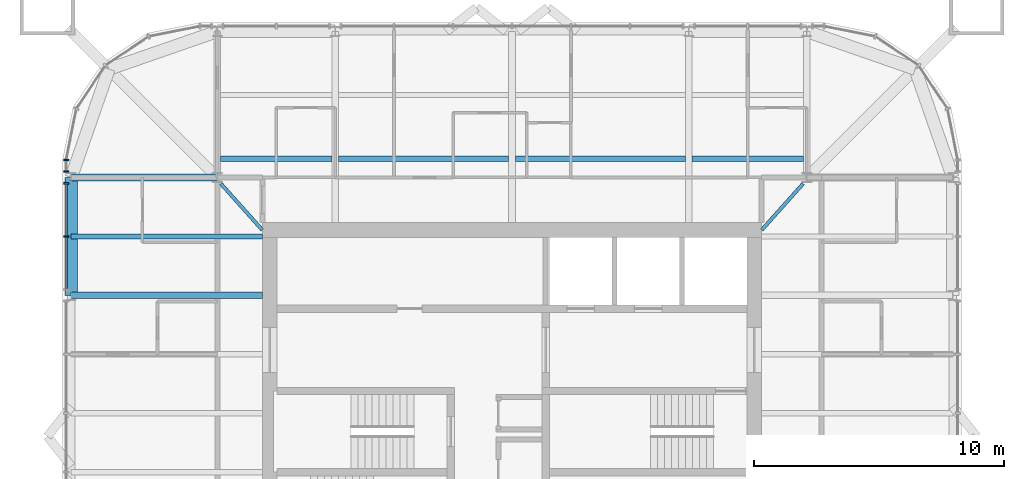
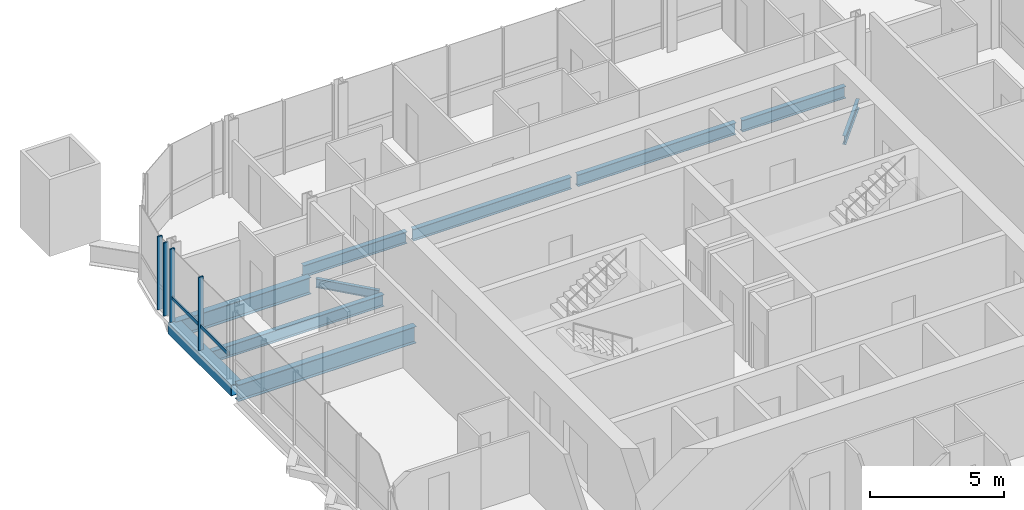
# One storey, part 4 of 17: 10 beams, 6 members, 2 elements without a shape of their own.
"""IFC4 building model written with IfcOpenShell, lengths in metres."""

from ifc_helpers import new_model, si_unit, direction, frame, origin, origin_2d, place, context, subcontext, project, spatial, rectangle, hollow_rectangle, i_section, extrude, material, material_profile, profile_set, type_object, element, aggregate, save


model = new_model("IFC4")

# Units and contexts
model_context = context("Model", 3, precision=1e-05, world=origin(), true_north=direction((0.0, 1.0)))
body_context = subcontext(model_context, "Body", "Model", "MODEL_VIEW")
ifc_project = project(units=[si_unit("LENGTHUNIT", "METRE"), si_unit("AREAUNIT", "SQUARE_METRE"), si_unit("VOLUMEUNIT", "CUBIC_METRE"), si_unit("PLANEANGLEUNIT", "RADIAN"), si_unit("MASSUNIT", "GRAM", prefix="KILO")], contexts=[model_context])

# Site, building, storey
site_placement = place(None, origin())
site = spatial("IfcSite", under=ifc_project, at=site_placement, CompositionType="ELEMENT")
building_placement = place(site_placement, origin())
building = spatial("IfcBuilding", under=site, at=building_placement, Name="Turquesa Mirador Hotel Tower", CompositionType="ELEMENT")
storey_placement = place(building_placement, frame((0.0, 0.0, 247.699951171875)))
storey = spatial("IfcBuildingStorey", under=building, at=storey_placement, Name="L67", CompositionType="ELEMENT", Elevation=247.699951171875)

# Beams
ifc_material_1 = material(Name="Steel ASTM A572 Grade 50", Category="steel")
ifc_material_profile_1 = material_profile(ifc_material_1, hollow_rectangle(XDim=0.5, YDim=0.5, WallThickness=0.01611328125, at=origin_2d()), Name="BOX500X500X16")
ifc_profile_set_1 = profile_set([ifc_material_profile_1], Name="Steel ASTM A572 Grade 50")
beam_type_1 = type_object("IfcBeamType", Name="BEAM BOX500X500X16", PredefinedType="BEAM", material=ifc_profile_set_1)
beam_1_placement = place(storey_placement, frame((37.35009765625, 52.080078125, -0.419921875), z_axis=(0.0, 1.0, 0.0), x_axis=(-1.0, 0.0, 0.0)))
element("IfcBeam", 1, at=beam_1_placement, inside=storey, type_object=beam_type_1, Name="EB-L67-W-R", PredefinedType="BEAM", context=body_context, shape_type="SweptSolid", body=[
    extrude(hollow_rectangle(XDim=0.5, YDim=0.5, WallThickness=0.01611328125, at=origin_2d()), origin(), (0.0, 0.0, 1.0), 4.719970703125),
])
ifc_material_2 = material(Name="Steel ASTM A992 Grade 50", Category="steel")
ifc_material_profile_2 = material_profile(ifc_material_2, i_section(OverallWidth=0.140380859375, OverallDepth=0.40380859375, WebThickness=0.007080078125, FlangeThickness=0.01123046875, at=origin_2d()), Name="W16X31")
ifc_profile_set_2 = profile_set([ifc_material_profile_2], Name="Steel ASTM A992 Grade 50")
beam_type_2 = type_object("IfcBeamType", Name="BEAM W16X31", PredefinedType="BEAM", material=ifc_profile_set_2)
for number, where, z_axis, x_axis, name in (
    (2, (66.656494140625, 56.55126953125, -0.371826171875), (-0.666806350186, -0.745231032198, 0.0), (0.745231032198, -0.666806350186, 0.0), "KT-L67-1"),
    (3, (43.343505859375, 56.55126953125, -0.371826171875), (0.666806350186, -0.745231032198, 0.0), (0.745231032198, 0.666806350186, 0.0), "KT-L67-2"),
):
    element("IfcBeam", number, at=place(storey_placement, frame(where, z_axis=z_axis, x_axis=x_axis)), inside=storey, type_object=beam_type_2, Name=name, PredefinedType="BEAM", context=body_context, shape_type="SweptSolid", body=[
        extrude(i_section(OverallWidth=0.140380859375, OverallDepth=0.40380859375, WebThickness=0.007080078125, FlangeThickness=0.01123046875, at=origin_2d()), origin(), (0.0, 0.0, 1.0), 2.484130859375),
    ])
ifc_material_3 = material(Name="Steel ASTM A992 Grade 50", Category="steel")
ifc_material_profile_3 = material_profile(ifc_material_3, i_section(OverallWidth=0.209228515625, OverallDepth=0.533447265625, WebThickness=0.01025390625, FlangeThickness=0.015625, at=origin_2d()), Name="W21X62")
ifc_profile_set_3 = profile_set([ifc_material_profile_3], Name="Steel ASTM A992 Grade 50")
beam_type_3 = type_object("IfcBeamType", Name="BEAM W21X62", PredefinedType="BEAM", material=ifc_profile_set_3)
beam_2_placement = place(storey_placement, frame((43.333251953125, 57.550048828125, -0.436767578125), z_axis=(1.0, 0.0, 0.0), x_axis=(0.0, 1.0, 0.0)))
element("IfcBeam", 4, at=beam_2_placement, inside=storey, type_object=beam_type_3, Name="IB-L67-N-1-0", PredefinedType="BEAM", context=body_context, shape_type="SweptSolid", body=[
    extrude(i_section(OverallWidth=0.209228515625, OverallDepth=0.533447265625, WebThickness=0.01025390625, FlangeThickness=0.015625, at=origin_2d()), origin(), (0.0, 0.0, 1.0), 4.453369140625),
])
for number, where, z_axis, x_axis, name in (
    (5, (48.053466796875, 57.550048828125, -0.436767578125), (1.0, 0.0, 0.0), (0.0, 1.0, 0.0), "IB-L67-N-1-1"),
    (6, (55.13330078125, 57.550048828125, -0.436767578125), (1.0, 0.0, 0.0), (0.0, 1.0, 0.0), "IB-L67-N-1-2"),
):
    element("IfcBeam", number, at=place(storey_placement, frame(where, z_axis=z_axis, x_axis=x_axis)), inside=storey, type_object=beam_type_3, Name=name, PredefinedType="BEAM", context=body_context, shape_type="SweptSolid", body=[
        extrude(i_section(OverallWidth=0.209228515625, OverallDepth=0.533447265625, WebThickness=0.01025390625, FlangeThickness=0.015625, at=origin_2d()), origin(), (0.0, 0.0, 1.0), 6.813232421875),
    ])
beam_3_placement = place(storey_placement, frame((62.21337890625, 57.550048828125, -0.436767578125), z_axis=(1.0, 0.0, 0.0), x_axis=(0.0, 1.0, 0.0)))
element("IfcBeam", 7, at=beam_3_placement, inside=storey, type_object=beam_type_3, Name="IB-L67-N-1-3", PredefinedType="BEAM", context=body_context, shape_type="SweptSolid", body=[
    extrude(i_section(OverallWidth=0.209228515625, OverallDepth=0.533447265625, WebThickness=0.01025390625, FlangeThickness=0.015625, at=origin_2d()), origin(), (0.0, 0.0, 1.0), 4.453369140625),
])
beam_4_placement = place(storey_placement, frame((37.35009765625, 54.43994140625, -0.436767578125), z_axis=(1.0, 0.0, 0.0), x_axis=(0.0, 1.0, 0.0)))
element("IfcBeam", 8, at=beam_4_placement, inside=storey, type_object=beam_type_3, Name="BM-L67-W-+9.44", PredefinedType="BEAM", context=body_context, shape_type="SweptSolid", body=[
    extrude(i_section(OverallWidth=0.209228515625, OverallDepth=0.533447265625, WebThickness=0.01025390625, FlangeThickness=0.015625, at=origin_2d()), origin(), (0.0, 0.0, 1.0), 7.64990234375),
])
ifc_material_4 = material(Name="Steel ASTM A992 Grade 50", Category="steel")
ifc_material_profile_4 = material_profile(ifc_material_4, i_section(OverallWidth=0.2666015625, OverallDepth=0.7568359375, WebThickness=0.013916015625, FlangeThickness=0.019287109375, at=origin_2d()), Name="W30X108")
ifc_profile_set_4 = profile_set([ifc_material_profile_4], Name="Steel ASTM A992 Grade 50")
beam_type_4 = type_object("IfcBeamType", Name="BEAM W30X108", PredefinedType="BEAM", material=ifc_profile_set_4)
beam_5_placement = place(storey_placement, frame((37.35009765625, 52.080078125, -0.54833984375), z_axis=(1.0, 0.0, 0.0), x_axis=(0.0, 1.0, 0.0)))
element("IfcBeam", 9, at=beam_5_placement, inside=storey, type_object=beam_type_4, Name="GD-L67-W-+7.08", PredefinedType="BEAM", context=body_context, shape_type="SweptSolid", body=[
    extrude(i_section(OverallWidth=0.2666015625, OverallDepth=0.7568359375, WebThickness=0.013916015625, FlangeThickness=0.019287109375, at=origin_2d()), origin(), (0.0, 0.0, 1.0), 7.64990234375),
])
beam_6_placement = place(storey_placement, frame((37.35009765625, 56.800048828125, -0.54833984375), z_axis=(1.0, 0.0, 0.0), x_axis=(0.0, 1.0, 0.0)))
element("IfcBeam", 10, at=beam_6_placement, inside=storey, type_object=beam_type_4, Name="GK-L67-W-+11.80", PredefinedType="BEAM", context=body_context, shape_type="SweptSolid", body=[
    extrude(i_section(OverallWidth=0.2666015625, OverallDepth=0.7568359375, WebThickness=0.013916015625, FlangeThickness=0.019287109375, at=origin_2d()), origin(), (0.0, 0.0, 1.0), 5.849853515625),
])

# Curtain wall, members
ifc_material_5 = material(Name="Aluminium extrusion", Category="aluminium")
curtain_wall_type = type_object("IfcCurtainWallType", Name="CW-4 SUITE FRITTED CURTAIN WALL", PredefinedType="USERDEFINED", material=ifc_material_5)
curtain_wall_1_placement = place(storey_placement, origin())
curtain_wall_1 = element("IfcCurtainWall", 11, at=curtain_wall_1_placement, inside=storey, type_object=curtain_wall_type, Name="CW-4 SUITE FRITTED CURTAIN WALL L67", ObjectType="CURTAIN WALL", PredefinedType="USERDEFINED")
ifc_material_6 = material(Name="Aluminium extrusion", Category="aluminium")
ifc_material_profile_5 = material_profile(ifc_material_6, rectangle(XDim=0.06494140625, YDim=0.199951171875, at=origin_2d()), Name="MULLION 65X200")
ifc_profile_set_5 = profile_set([ifc_material_profile_5], Name="Aluminium extrusion")
member_type_1 = type_object("IfcMemberType", Name="CW MULLION 65X200", PredefinedType="MULLION", material=ifc_profile_set_5)
member_1_placement = place(storey_placement, frame((37.14990234375, 57.5, 0.0), z_axis=(0.0, 0.0, 1.0), x_axis=(0.0, -1.0, 0.0)))
member_1 = element("IfcMember", 12, at=member_1_placement, type_object=member_type_1, Name="Mullion", PredefinedType="MULLION", context=body_context, shape_type="SweptSolid", body=[
    extrude(rectangle(XDim=0.06494140625, YDim=0.199951171875, at=origin_2d()), origin(), (0.0, 0.0, 1.0), 3.330078125),
])
member_2_placement = place(storey_placement, frame((37.14990234375, 57.033935546875, 0.0), z_axis=(0.0, 0.0, 1.0), x_axis=(0.0, -1.0, 0.0)))
member_2 = element("IfcMember", 13, at=member_2_placement, type_object=member_type_1, Name="Mullion", PredefinedType="MULLION", context=body_context, shape_type="SweptSolid", body=[
    extrude(rectangle(XDim=0.06494140625, YDim=0.199951171875, at=origin_2d()), origin(), (0.0, 0.0, 1.0), 3.330078125),
])
aggregate(curtain_wall_1, [member_1, member_2])

curtain_wall_2_placement = place(storey_placement, origin())
curtain_wall_2 = element("IfcCurtainWall", 14, at=curtain_wall_2_placement, inside=storey, type_object=curtain_wall_type, Name="CW-4 SUITE FRITTED CURTAIN WALL L67", ObjectType="CURTAIN WALL", PredefinedType="USERDEFINED")
member_3_placement = place(storey_placement, frame((37.14990234375, 56.566162109375, 0.0), z_axis=(0.0, 0.0, 1.0), x_axis=(0.0, -1.0, 0.0)))
member_3 = element("IfcMember", 15, at=member_3_placement, type_object=member_type_1, Name="Mullion", PredefinedType="MULLION", context=body_context, shape_type="SweptSolid", body=[
    extrude(rectangle(XDim=0.06494140625, YDim=0.199951171875, at=origin_2d()), origin(), (0.0, 0.0, 1.0), 3.330078125),
])
member_4_placement = place(storey_placement, frame((37.14990234375, 54.43994140625, 0.0), z_axis=(0.0, 0.0, 1.0), x_axis=(0.0, -1.0, 0.0)))
member_4 = element("IfcMember", 16, at=member_4_placement, type_object=member_type_1, Name="Mullion", PredefinedType="MULLION", context=body_context, shape_type="SweptSolid", body=[
    extrude(rectangle(XDim=0.06494140625, YDim=0.199951171875, at=origin_2d()), origin(), (0.0, 0.0, 1.0), 3.330078125),
])
ifc_material_7 = material(Name="Aluminium extrusion", Category="aluminium")
ifc_material_profile_6 = material_profile(ifc_material_7, rectangle(XDim=0.06494140625, YDim=0.14990234375, at=origin_2d()), Name="TRANSOM 65X150")
ifc_profile_set_6 = profile_set([ifc_material_profile_6], Name="Aluminium extrusion")
member_type_2 = type_object("IfcMemberType", Name="CW TRANSOM 65X150", PredefinedType="USERDEFINED", material=ifc_profile_set_6)
member_5_placement = place(storey_placement, frame((37.14990234375, 56.53369140625, 1.10009765625), z_axis=(0.0, -1.0, 0.0), x_axis=(1.0, 0.0, 0.0)))
member_5 = element("IfcMember", 17, at=member_5_placement, type_object=member_type_2, Name="Transom", ObjectType="TRANSOM", PredefinedType="USERDEFINED", context=body_context, shape_type="SweptSolid", body=[
    extrude(rectangle(XDim=0.06494140625, YDim=0.14990234375, at=origin_2d()), origin(), (0.0, 0.0, 1.0), 2.061279296875),
])
member_6_placement = place(storey_placement, frame((37.14990234375, 54.407470703125, 1.10009765625), z_axis=(0.0, -1.0, 0.0), x_axis=(1.0, 0.0, 0.0)))
member_6 = element("IfcMember", 18, at=member_6_placement, type_object=member_type_2, Name="Transom", ObjectType="TRANSOM", PredefinedType="USERDEFINED", context=body_context, shape_type="SweptSolid", body=[
    extrude(rectangle(XDim=0.06494140625, YDim=0.14990234375, at=origin_2d()), origin(), (0.0, 0.0, 1.0), 2.06103515625),
])
aggregate(curtain_wall_2, [member_3, member_4, member_5, member_6])

save(model, "model.ifc")
